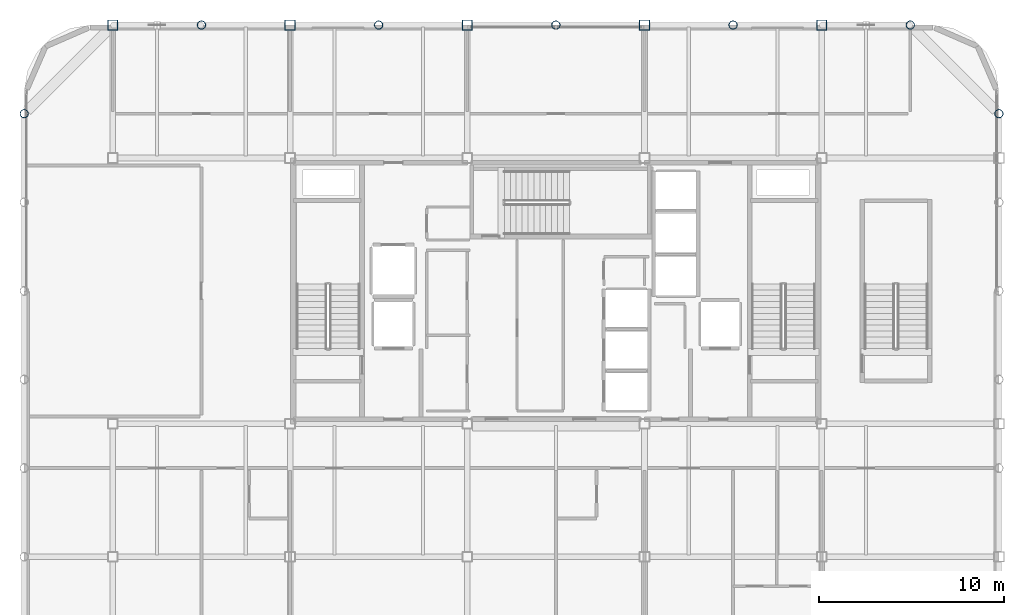
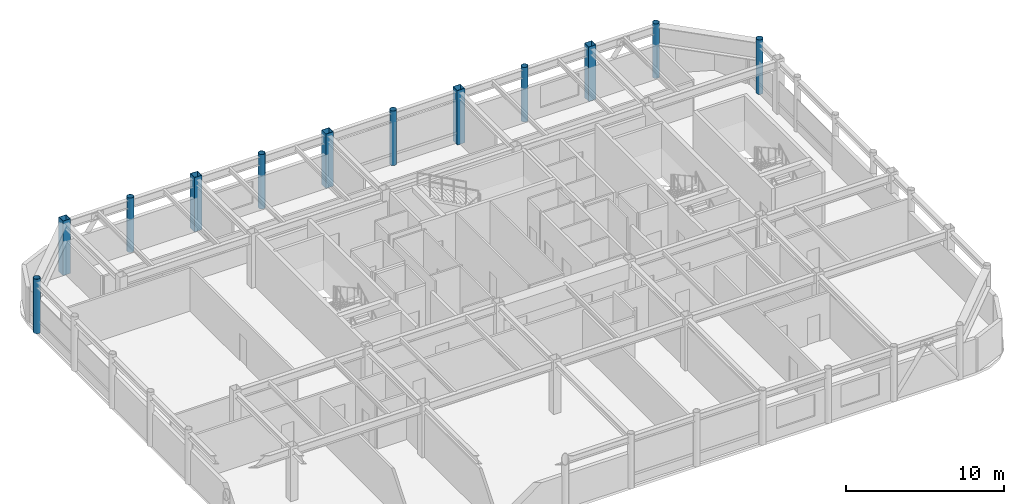
# One storey, part 3 of 21: 12 columns.
"""IFC4 building model written with IfcOpenShell, lengths in metres."""

from ifc_helpers import new_model, si_unit, direction, frame, origin, origin_2d, place, context, subcontext, project, spatial, hollow_rectangle, hollow_circle, extrude, material, material_profile, profile_set, type_object, element, save


model = new_model("IFC4")

# Units and contexts
model_context = context("Model", 3, precision=1e-05, world=origin(), true_north=direction((0.0, 1.0)))
body_context = subcontext(model_context, "Body", "Model", "MODEL_VIEW")
ifc_project = project(units=[si_unit("LENGTHUNIT", "METRE"), si_unit("AREAUNIT", "SQUARE_METRE"), si_unit("VOLUMEUNIT", "CUBIC_METRE"), si_unit("PLANEANGLEUNIT", "RADIAN"), si_unit("MASSUNIT", "GRAM", prefix="KILO")], contexts=[model_context])

# Site, building, storey
site_placement = place(None, origin())
site = spatial("IfcSite", under=ifc_project, at=site_placement, CompositionType="ELEMENT")
building_placement = place(site_placement, origin())
building = spatial("IfcBuilding", under=site, at=building_placement, Name="Kallvorn Hotel Tower", CompositionType="ELEMENT")
storey_placement = place(building_placement, frame((0.0, 0.0, 286.39990234375)))
storey = spatial("IfcBuildingStorey", under=building, at=storey_placement, Name="L71", CompositionType="ELEMENT", Elevation=286.39990234375)

# Columns
ifc_material_1 = material(Name="Structural steel S355J2H", Category="steel")
ifc_material_profile_1 = material_profile(ifc_material_1, hollow_circle(Radius=0.228515625, WallThickness=0.02001953125, at=origin_2d()), Name="CHS 457x20")
ifc_profile_set_1 = profile_set([ifc_material_profile_1], Name="Structural steel S355J2H")
column_type_1 = type_object("IfcColumnType", Name="COL_CHS_457", PredefinedType="COLUMN", material=ifc_profile_set_1)
for number, where, z_axis, x_axis, name in (
    (1, (-28.800048828125, 9.60009765625, 0.0), (0.0, 0.0, 1.0), (1.0, 0.0, 0.0), "L71 Exoskeleton Column EC07"),
    (2, (-19.199951171875, 14.39990234375, 0.0), (0.0, 0.0, 1.0), (1.0, 0.0, 0.0), "L71 Exoskeleton Column EC10"),
    (3, (-9.60009765625, 14.39990234375, 0.0), (0.0, 0.0, 1.0), (1.0, 0.0, 0.0), "L71 Exoskeleton Column EC13"),
    (4, (0.0, 14.39990234375, 0.0), (0.0, 0.0, 1.0), (1.0, 0.0, 0.0), "L71 Exoskeleton Column EC16"),
    (5, (9.60009765625, 14.39990234375, 0.0), (0.0, 0.0, 1.0), (1.0, 0.0, 0.0), "L71 Exoskeleton Column EC19"),
    (6, (19.199951171875, 14.39990234375, 0.0), (0.0, 0.0, 1.0), (1.0, 0.0, 0.0), "L71 Exoskeleton Column EC22"),
    (7, (24.0, 9.60009765625, 0.0), (0.0, 0.0, 1.0), (1.0, 0.0, 0.0), "L71 Exoskeleton Column EC28"),
):
    element("IfcColumn", number, at=place(storey_placement, frame(where, z_axis=z_axis, x_axis=x_axis)), inside=storey, type_object=column_type_1, Name=name, PredefinedType="COLUMN", context=body_context, shape_type="SweptSolid", body=[
        extrude(hollow_circle(Radius=0.228515625, WallThickness=0.02001953125, at=origin_2d()), origin(), (0.0, 0.0, 1.0), 4.2001953125),
    ])
ifc_material_2 = material(Name="Structural steel S355J2H", Category="steel")
ifc_material_profile_2 = material_profile(ifc_material_2, hollow_rectangle(XDim=0.550048828125, YDim=0.550048828125, WallThickness=0.02490234375, at=origin_2d()), Name="RHS 550x550x25")
ifc_profile_set_2 = profile_set([ifc_material_profile_2], Name="Structural steel S355J2H")
column_type_2 = type_object("IfcColumnType", Name="COL_RHS_550", PredefinedType="COLUMN", material=ifc_profile_set_2)
for number, where, z_axis, x_axis, name in (
    (8, (-24.0, 14.39990234375, 0.0), (0.0, 0.0, 1.0), (1.0, 0.0, 0.0), "L71 Inner Column IC04"),
    (9, (-14.39990234375, 14.39990234375, 0.0), (0.0, 0.0, 1.0), (1.0, 0.0, 0.0), "L71 Inner Column IC08"),
    (10, (-4.800048828125, 14.39990234375, 0.0), (0.0, 0.0, 1.0), (1.0, 0.0, 0.0), "L71 Inner Column IC12"),
    (11, (4.800048828125, 14.39990234375, 0.0), (0.0, 0.0, 1.0), (1.0, 0.0, 0.0), "L71 Inner Column IC16"),
    (12, (14.39990234375, 14.39990234375, 0.0), (0.0, 0.0, 1.0), (1.0, 0.0, 0.0), "L71 Inner Column IC20"),
):
    element("IfcColumn", number, at=place(storey_placement, frame(where, z_axis=z_axis, x_axis=x_axis)), inside=storey, type_object=column_type_2, Name=name, PredefinedType="COLUMN", context=body_context, shape_type="SweptSolid", body=[
        extrude(hollow_rectangle(XDim=0.550048828125, YDim=0.550048828125, WallThickness=0.02490234375, at=origin_2d()), origin(), (0.0, 0.0, 1.0), 4.2001953125),
    ])

save(model, "model.ifc")
